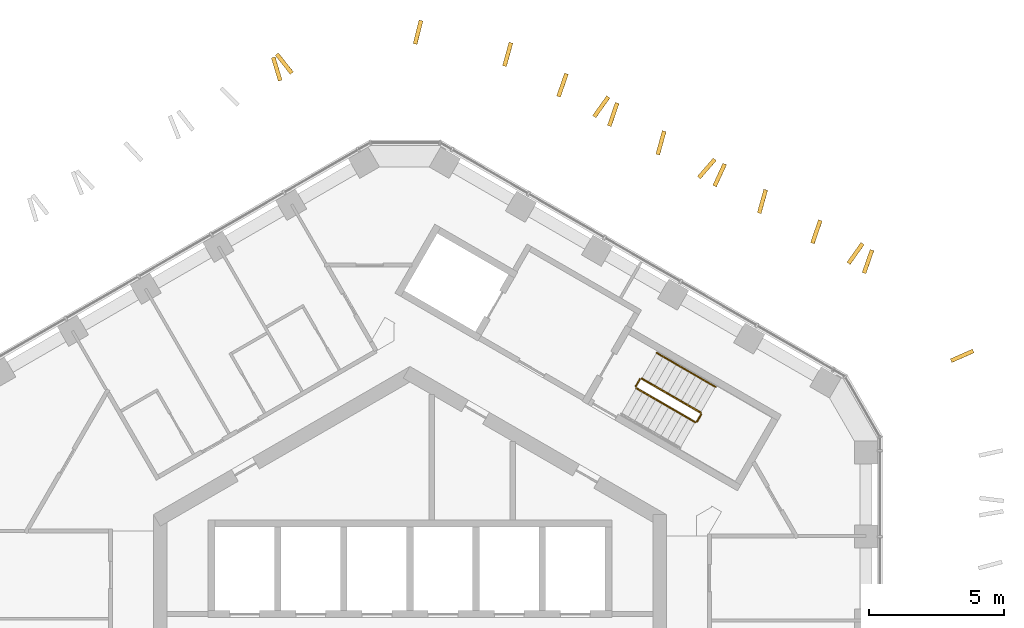
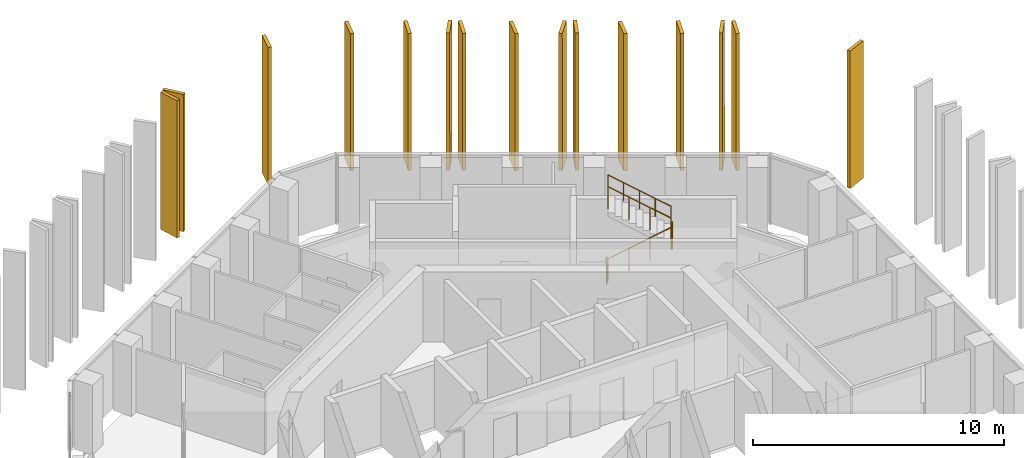
# One storey, part 18 of 18: 15 shading devices, 6 railings.
"""IFC4 building model written with IfcOpenShell, lengths in metres."""

from ifc_helpers import new_model, si_unit, direction, frame, origin, origin_2d, place, context, subcontext, project, spatial, polyline, circle, outline, extrude, material, layer, layer_set, type_object, element, save


model = new_model("IFC4")

# Units and contexts
model_context = context("Model", 3, precision=1e-05, world=origin(), true_north=direction((0.0, 1.0)))
body_context = subcontext(model_context, "Body", "Model", "MODEL_VIEW")
ifc_project = project(units=[si_unit("LENGTHUNIT", "METRE"), si_unit("AREAUNIT", "SQUARE_METRE"), si_unit("VOLUMEUNIT", "CUBIC_METRE"), si_unit("PLANEANGLEUNIT", "RADIAN"), si_unit("MASSUNIT", "GRAM", prefix="KILO")], contexts=[model_context])

# Site, building, storey
site_placement = place(None, origin())
site = spatial("IfcSite", under=ifc_project, at=site_placement, CompositionType="ELEMENT")
building_placement = place(site_placement, origin())
building = spatial("IfcBuilding", under=site, at=building_placement, Name="Ayvan Gate Tower", CompositionType="ELEMENT")
storey_placement = place(building_placement, frame((0.0, 0.0, 229.10009765625)))
storey = spatial("IfcBuildingStorey", under=building, at=storey_placement, Name="L61", CompositionType="ELEMENT", Elevation=229.10009765625)

# Shading devices
ifc_material_1 = material(Name="Bronze anodised aluminium", Category="aluminium")
ifc_layer = layer(ifc_material_1, 0.14990234375)
ifc_layer_set = layer_set([ifc_layer], Name="Bronze anodised aluminium")
shading_device_type = type_object("IfcShadingDeviceType", Name="Bronze fin 900 x 150", PredefinedType="USERDEFINED", material=ifc_layer_set)
shading_device_1_placement = place(storey_placement, frame((-4.31591796875, 21.881103515625, 0.0), z_axis=(0.784507639173, 0.620119108973, 0.000234019759), x_axis=(-0.620119125954, 0.784507660655, 0.0)))
element("IfcShadingDevice", 1, at=shading_device_1_placement, inside=storey, type_object=shading_device_type, Name="Bronze fin FG23.1.1", ObjectType="FIN", PredefinedType="USERDEFINED", context=body_context, shape_type="SweptSolid", body=[
    extrude(outline(polyline([(0.0, 0.0), (0.8999971866563694, 0.0), (0.8999880472489348, 6.6799318235390635), (-9.139407434775176e-06, 6.6799318235390635), (0.0, 0.0)])), origin(), (0.0, 0.0, -1.0), 0.14990234375),
])
shading_device_2_placement = place(storey_placement, frame((-4.7333984375, 21.579833984375, 0.0), z_axis=(0.95752711399, 0.288343150757, 0.000231053287), x_axis=(-0.288343158453, 0.957527139549, 0.0)))
element("IfcShadingDevice", 2, at=shading_device_2_placement, inside=storey, type_object=shading_device_type, Name="Bronze fin FG23.1.2", ObjectType="FIN", PredefinedType="USERDEFINED", context=body_context, shape_type="SweptSolid", body=[
    extrude(outline(polyline([(0.0, 0.0), (0.9000438427842659, 6.776263578034403e-21), (0.8999986779091738, 6.679931818931158), (-4.516487509215709e-05, 6.679931818931158), (0.0, 0.0)])), origin(), (0.0, 0.0, -1.0), 0.14990234375),
])
shading_device_3_placement = place(storey_placement, frame((20.074462890625, 11.1123046875, 0.0), z_axis=(0.404060912447, -0.91473205557, 0.000213411357), x_axis=(0.914732076403, 0.404060921643, -2.648e-08)))
element("IfcShadingDevice", 3, at=shading_device_3_placement, inside=storey, type_object=shading_device_type, Name="Bronze fin FG23.10.80", ObjectType="FIN", PredefinedType="USERDEFINED", context=body_context, shape_type="SweptSolid", body=[
    extrude(outline(polyline([(0.0, 0.0), (0.8999324399312011, 0.0), (0.900077502643228, 6.679931816575471), (4.641502607862642e-05, 6.679931768913139), (0.0, 0.0)])), origin(), (0.0, 0.0, -1.0), 0.14990234375),
])
shading_device_4_placement = place(storey_placement, frame((16.892822265625, 14.40478515625, 0.0), z_axis=(0.945266255138, -0.326299944026, 0.000231139118), x_axis=(0.326299952743, 0.945266280389, 0.0)))
element("IfcShadingDevice", 4, at=shading_device_4_placement, inside=storey, type_object=shading_device_type, Name="Bronze fin FG23.11.81", ObjectType="FIN", PredefinedType="USERDEFINED", context=body_context, shape_type="SweptSolid", body=[
    extrude(outline(polyline([(0.0, 0.0), (0.9000956616954344, 0.0), (0.9000792390500053, 6.679931819063657), (-1.6422645429101776e-05, 6.679931819063657), (0.0, 0.0)])), origin(), (0.0, 0.0, -1.0), 0.14990234375),
])
shading_device_5_placement = place(storey_placement, frame((16.306640625, 14.742919921875, 0.0), z_axis=(0.81576312738, -0.57838609497, 0.00021249128), x_axis=(0.578386108028, 0.815763145797, 0.0)))
element("IfcShadingDevice", 5, at=shading_device_5_placement, inside=storey, type_object=shading_device_type, Name="Bronze fin FG23.11.82", ObjectType="FIN", PredefinedType="USERDEFINED", context=body_context, shape_type="SweptSolid", body=[
    extrude(outline(polyline([(0.0, 0.0), (0.8999313871402703, 0.0), (0.8998228321835451, 6.67993179143296), (-0.00010855495672542652, 6.67993179143296), (0.0, 0.0)])), origin(), (0.0, 0.0, -1.0), 0.14990234375),
])
shading_device_6_placement = place(storey_placement, frame((14.980224609375, 15.508544921875, 0.0), z_axis=(0.94610273185, -0.323866588827, 0.000231144679), x_axis=(0.323866597479, 0.946102757124, 0.0)))
element("IfcShadingDevice", 6, at=shading_device_6_placement, inside=storey, type_object=shading_device_type, Name="Bronze fin FG23.11.83", ObjectType="FIN", PredefinedType="USERDEFINED", context=body_context, shape_type="SweptSolid", body=[
    extrude(outline(polyline([(0.0, 0.0), (0.9000740073823147, 0.0), (0.9000615576580411, 6.679931819072243), (-1.2449724273632648e-05, 6.679931819072243), (0.0, 0.0)])), origin(), (0.0, 0.0, -1.0), 0.14990234375),
])
shading_device_7_placement = place(storey_placement, frame((13.010009765625, 16.62841796875, 0.0), z_axis=(0.963564508784, -0.267475958801, 0.000221076094), x_axis=(0.267475965337, 0.963564532331, 0.0)))
element("IfcShadingDevice", 7, at=shading_device_7_placement, inside=storey, type_object=shading_device_type, Name="Bronze fin FG23.11.85", ObjectType="FIN", PredefinedType="USERDEFINED", context=body_context, shape_type="SweptSolid", body=[
    extrude(outline(polyline([(0.0, 0.0), (0.8999786427400962, 0.0), (0.8998220774911476, 6.679931803864631), (-0.00015656524894859685, 6.679931803864631), (0.0, 0.0)])), origin(), (0.0, 0.0, -1.0), 0.14990234375),
])
shading_device_8_placement = place(storey_placement, frame((11.352294921875, 17.619384765625, 0.0), z_axis=(0.908391544994, -0.418120503616, 0.000213164523), x_axis=(0.41812051312, 0.90839156563, -2.626e-08)))
element("IfcShadingDevice", 8, at=shading_device_8_placement, inside=storey, type_object=shading_device_type, Name="Bronze fin FG23.11.87", ObjectType="FIN", PredefinedType="USERDEFINED", context=body_context, shape_type="SweptSolid", body=[
    extrude(outline(polyline([(0.0, 0.0), (0.9001331016911411, 0.0), (0.8999639956262695, 6.679931816022965), (-6.702586147315195e-05, 6.679931768751023), (0.0, 0.0)])), origin(), (0.0, 0.0, -1.0), 0.14990234375),
])
shading_device_9_placement = place(storey_placement, frame((10.7578125, 17.913818359375, 0.0), z_axis=(0.754874055251, -0.655869732517, 0.000233830971), x_axis=(0.655869750448, 0.754874075888, 0.0)))
element("IfcShadingDevice", 9, at=shading_device_9_placement, inside=storey, type_object=shading_device_type, Name="Bronze fin FG23.11.88", ObjectType="FIN", PredefinedType="USERDEFINED", context=body_context, shape_type="SweptSolid", body=[
    extrude(outline(polyline([(0.0, 0.0), (0.9000751000436222, 0.0), (0.9000116595043915, 6.679931823244062), (-6.344053923062302e-05, 6.679931823244062), (0.0, 0.0)])), origin(), (0.0, 0.0, -1.0), 0.14990234375),
])
shading_device_10_placement = place(storey_placement, frame((9.250732421875, 18.798583984375, 0.0), z_axis=(0.963644079829, -0.267189139657, 0.000225965725), x_axis=(0.26718914648, 0.96364410443, -8.19e-09)))
element("IfcShadingDevice", 10, at=shading_device_10_placement, inside=storey, type_object=shading_device_type, Name="Bronze fin FG23.11.89", ObjectType="FIN", PredefinedType="USERDEFINED", context=body_context, shape_type="SweptSolid", body=[
    extrude(outline(polyline([(0.0, 0.0), (0.8999133711472782, -1.3552527156068805e-20), (0.8999924554368754, 6.679931818536074), (-0.0001561803843359144, 6.679931803794013), (0.0, 0.0)])), origin(), (0.0, 0.0, -1.0), 0.14990234375),
])
shading_device_11_placement = place(storey_placement, frame((7.45556640625, 19.852783203125, 0.0), z_axis=(0.945936411523, -0.324352049364, 0.000231143692), x_axis=(0.324352058029, 0.945936436793, 0.0)))
element("IfcShadingDevice", 11, at=shading_device_11_placement, inside=storey, type_object=shading_device_type, Name="Bronze fin FG23.11.91", ObjectType="FIN", PredefinedType="USERDEFINED", context=body_context, shape_type="SweptSolid", body=[
    extrude(outline(polyline([(0.0, 0.0), (0.9002322639004255, 1.3552527156068805e-20), (0.9002190218412002, 6.679931819070719), (-1.3242059225280936e-05, 6.679931819070719), (0.0, 0.0)])), origin(), (0.0, 0.0, -1.0), 0.14990234375),
])
shading_device_12_placement = place(storey_placement, frame((6.888427734375, 20.18017578125, 0.0), z_axis=(0.815069158661, -0.579363634909, 0.000212471646), x_axis=(0.579363647986, 0.815069177059, 0.0)))
element("IfcShadingDevice", 12, at=shading_device_12_placement, inside=storey, type_object=shading_device_type, Name="Bronze fin FG23.11.92", ObjectType="FIN", PredefinedType="USERDEFINED", context=body_context, shape_type="SweptSolid", body=[
    extrude(outline(polyline([(0.0, 0.0), (0.9000985422758095, -1.3552527156068805e-20), (0.8999882857551178, 6.6799317914050915), (-0.00011025652069172615, 6.6799317914050915), (0.0, 0.0)])), origin(), (0.0, 0.0, -1.0), 0.14990234375),
])
shading_device_13_placement = place(storey_placement, frame((5.573486328125, 20.9404296875, 0.0), z_axis=(0.944747161879, -0.327799869403, 0.000213870441), x_axis=(0.327799876906, 0.944747183484, -2.7402e-08)))
element("IfcShadingDevice", 13, at=shading_device_13_placement, inside=storey, type_object=shading_device_type, Name="Bronze fin FG23.11.93", ObjectType="FIN", PredefinedType="USERDEFINED", context=body_context, shape_type="SweptSolid", body=[
    extrude(outline(polyline([(0.0, 0.0), (0.9001134011848462, 0.0), (0.9000943448774043, 6.679931818061145), (6.097295938066549e-05, 6.679931768733871), (0.0, 0.0)])), origin(), (0.0, 0.0, -1.0), 0.14990234375),
])
shading_device_14_placement = place(storey_placement, frame((3.57421875, 22.07568359375, 0.0), z_axis=(0.963793297286, -0.266650383122, 0.000230841729), x_axis=(0.266650390226, 0.963793322965, 0.0)))
element("IfcShadingDevice", 14, at=shading_device_14_placement, inside=storey, type_object=shading_device_type, Name="Bronze fin FG23.11.95", ObjectType="FIN", PredefinedType="USERDEFINED", context=body_context, shape_type="SweptSolid", body=[
    extrude(outline(polyline([(0.0, 0.0), (0.9000183130096557, -6.776263578034403e-21), (0.9000983140605765, 6.6799318186047865), (8.000105092072652e-05, 6.6799318186047865), (0.0, 0.0)])), origin(), (0.0, 0.0, -1.0), 0.14990234375),
])
shading_device_15_placement = place(storey_placement, frame((0.2626953125, 22.893798828125, 0.0), z_axis=(0.969460453198, -0.245247586313, 0.000226038306), x_axis=(0.24524759258, 0.969460477964, -7.521e-09)))
element("IfcShadingDevice", 15, at=shading_device_15_placement, inside=storey, type_object=shading_device_type, Name="Bronze fin FG23.12.96", ObjectType="FIN", PredefinedType="USERDEFINED", context=body_context, shape_type="SweptSolid", body=[
    extrude(outline(polyline([(0.0, 0.0), (0.8998012967423878, 0.0), (0.8999153664763676, 6.679931818042804), (-0.00012261495302303142, 6.679931804507002), (0.0, 0.0)])), origin(), (0.0, 0.0, -1.0), 0.14990234375),
])

# Railings
ifc_material_2 = material(Name="Stainless steel balustrade", Category="steel")
railing_type_1 = type_object("IfcRailingType", Name="RL-GUARD-1100", PredefinedType="GUARDRAIL", material=ifc_material_2)
railing_1_placement = place(storey_placement, frame((8.381103515625, 10.16650390625, 0.169921875)))
element("IfcRailing", 16, at=railing_1_placement, inside=storey, type_object=railing_type_1, Name="L61 STS1 stair guard 1", PredefinedType="GUARDRAIL", context=body_context, shape_type="SweptSolid", body=[
    extrude(circle(Radius=0.02392578125, at=origin_2d()), frame((0.0, 0.0, 1.076171875), z_axis=(0.740261155115, -0.427395438142, 0.518986090067), x_axis=(0.500004791531, 0.866022637375, 0.0)), (0.0, 0.0, 1.0), 2.947998046875),
    extrude(circle(Radius=0.02099609375, at=origin_2d()), origin(), (0.0, 0.0, 1.0), 1.052001953125),
    extrude(circle(Radius=0.02099609375, at=origin_2d()), frame((0.7275390625, -0.419921875, 0.510009765625)), (0.0, 0.0, 1.0), 1.052001953125),
    extrude(circle(Radius=0.02099609375, at=origin_2d()), frame((1.454833984375, -0.840087890625, 1.02001953125)), (0.0, 0.0, 1.0), 1.052001953125),
    extrude(circle(Radius=0.02099609375, at=origin_2d()), frame((2.182373046875, -1.260009765625, 1.530029296875)), (0.0, 0.0, 1.0), 1.052001953125),
])
railing_2_placement = place(storey_placement, frame((10.6318359375, 8.9248046875, 1.699951171875)))
element("IfcRailing", 17, at=railing_2_placement, inside=storey, type_object=railing_type_1, Name="L61 STS1 stair guard 2", PredefinedType="GUARDRAIL", context=body_context, shape_type="SweptSolid", body=[
    extrude(circle(Radius=0.02392578125, at=origin_2d()), frame((0.0, 0.0, 1.076171875), z_axis=(0.499949632511, 0.866054481515, 0.0), x_axis=(-0.866054481515, 0.499949632511, 0.0)), (0.0, 0.0, 1.0), 0.31005859375),
    extrude(circle(Radius=0.02099609375, at=origin_2d()), origin(), (0.0, 0.0, 1.0), 1.052001953125),
    extrude(circle(Radius=0.02099609375, at=origin_2d()), frame((0.155029296875, 0.2685546875, 0.0)), (0.0, 0.0, 1.0), 1.052001953125),
])
railing_3_placement = place(storey_placement, frame((10.7685546875, 9.261474609375, 1.869873046875)))
element("IfcRailing", 18, at=railing_3_placement, inside=storey, type_object=railing_type_1, Name="L61 STS1 stair guard 3", PredefinedType="GUARDRAIL", context=body_context, shape_type="SweptSolid", body=[
    extrude(circle(Radius=0.02392578125, at=origin_2d()), frame((0.0, 0.0, 1.076171875), z_axis=(-0.740261155115, 0.427395438142, 0.518986090067), x_axis=(-0.500004791531, -0.866022637375, 0.0)), (0.0, 0.0, 1.0), 2.947998046875),
    extrude(circle(Radius=0.02099609375, at=origin_2d()), origin(), (0.0, 0.0, 1.0), 1.052001953125),
    extrude(circle(Radius=0.02099609375, at=origin_2d()), frame((-0.7275390625, 0.419921875, 0.510009765625)), (0.0, 0.0, 1.0), 1.052001953125),
    extrude(circle(Radius=0.02099609375, at=origin_2d()), frame((-1.454833984375, 0.840087890625, 1.02001953125)), (0.0, 0.0, 1.0), 1.052001953125),
    extrude(circle(Radius=0.02099609375, at=origin_2d()), frame((-2.182373046875, 1.260009765625, 1.530029296875)), (0.0, 0.0, 1.0), 1.052001953125),
])
railing_4_placement = place(storey_placement, frame((8.36279296875, 10.23486328125, 0.0)))
element("IfcRailing", 19, at=railing_4_placement, inside=storey, type_object=railing_type_1, Name="L61 STS1 stair guard 4", PredefinedType="GUARDRAIL", context=body_context, shape_type="SweptSolid", body=[
    extrude(circle(Radius=0.02392578125, at=origin_2d()), frame((0.0, 0.0, 1.076171875), z_axis=(0.500290723946, 0.86585748916, 0.0), x_axis=(-0.86585748916, 0.500290723946, 0.0)), (0.0, 0.0, 1.0), 0.309814453125),
    extrude(circle(Radius=0.02099609375, at=origin_2d()), origin(), (0.0, 0.0, 1.0), 1.052001953125),
    extrude(circle(Radius=0.02099609375, at=origin_2d()), frame((0.155029296875, 0.268310546875, 0.0)), (0.0, 0.0, 1.0), 1.052001953125),
])
railing_type_2 = type_object("IfcRailingType", Name="RL-HANDRAIL-900", PredefinedType="HANDRAIL", material=ifc_material_2)
railing_5_placement = place(storey_placement, frame((11.318603515625, 10.214111328125, 1.869873046875)))
element("IfcRailing", 20, at=railing_5_placement, inside=storey, type_object=railing_type_2, Name="L61 STS1 stair handrail 3", PredefinedType="HANDRAIL", context=body_context, shape_type="SweptSolid", body=[
    extrude(circle(Radius=0.02392578125, at=origin_2d()), frame((0.0, 0.0, 0.8759765625), z_axis=(-0.740240574041, 0.427418550694, 0.518996411419), x_axis=(-0.500035496587, -0.86600490885, 0.0)), (0.0, 0.0, 1.0), 1.474365234375),
    extrude(circle(Radius=0.02099609375, at=origin_2d()), origin(), (0.0, 0.0, 1.0), 0.851806640625),
    extrude(circle(Radius=0.02099609375, at=origin_2d()), frame((-0.545654296875, 0.31494140625, 0.382568359375)), (0.0, 0.0, 1.0), 0.851806640625),
    extrude(circle(Radius=0.02099609375, at=origin_2d()), frame((-1.09130859375, 0.630126953125, 0.76513671875)), (0.0, 0.0, 1.0), 0.851806640625),
])
railing_6_placement = place(storey_placement, frame((10.227294921875, 10.84423828125, 2.635009765625)))
element("IfcRailing", 21, at=railing_6_placement, inside=storey, type_object=railing_type_2, Name="L61 STS1 stair handrail 4", PredefinedType="HANDRAIL", context=body_context, shape_type="SweptSolid", body=[
    extrude(circle(Radius=0.02392578125, at=origin_2d()), frame((0.0, 0.0, 0.8759765625), z_axis=(-0.740356597536, 0.427319915356, 0.518912129772), x_axis=(-0.499890179513, -0.866088799389, 0.0)), (0.0, 0.0, 1.0), 1.47412109375),
    extrude(circle(Radius=0.02099609375, at=origin_2d()), origin(), (0.0, 0.0, 1.0), 0.851806640625),
    extrude(circle(Radius=0.02099609375, at=origin_2d()), frame((-0.545654296875, 0.31494140625, 0.38232421875)), (0.0, 0.0, 1.0), 0.851806640625),
    extrude(circle(Radius=0.02099609375, at=origin_2d()), frame((-1.09130859375, 0.6298828125, 0.764892578125)), (0.0, 0.0, 1.0), 0.851806640625),
])

save(model, "model.ifc")
